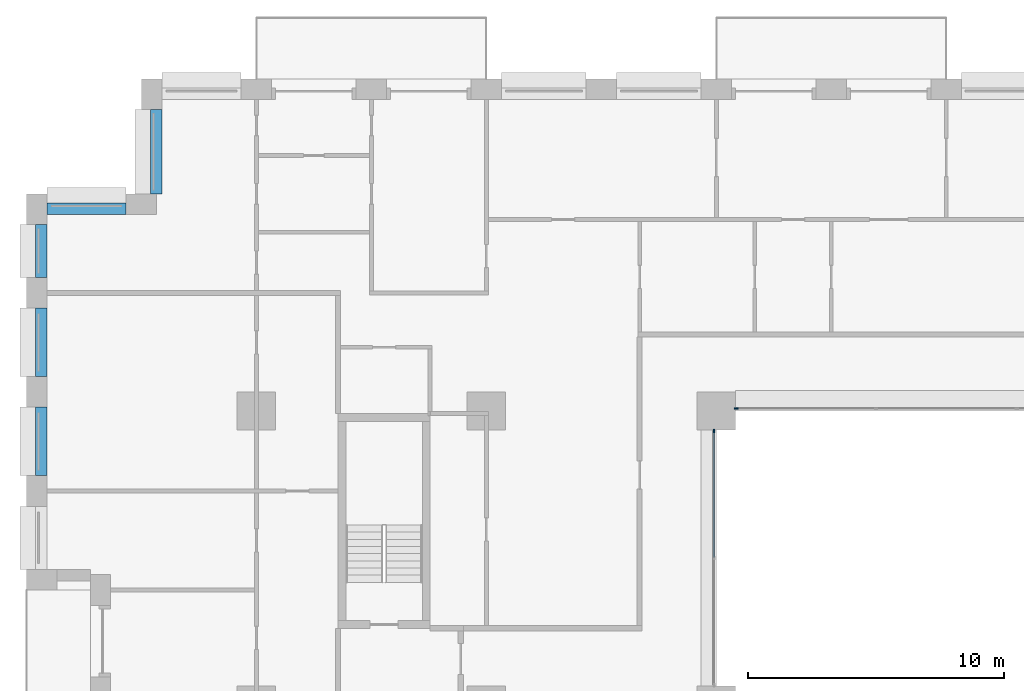
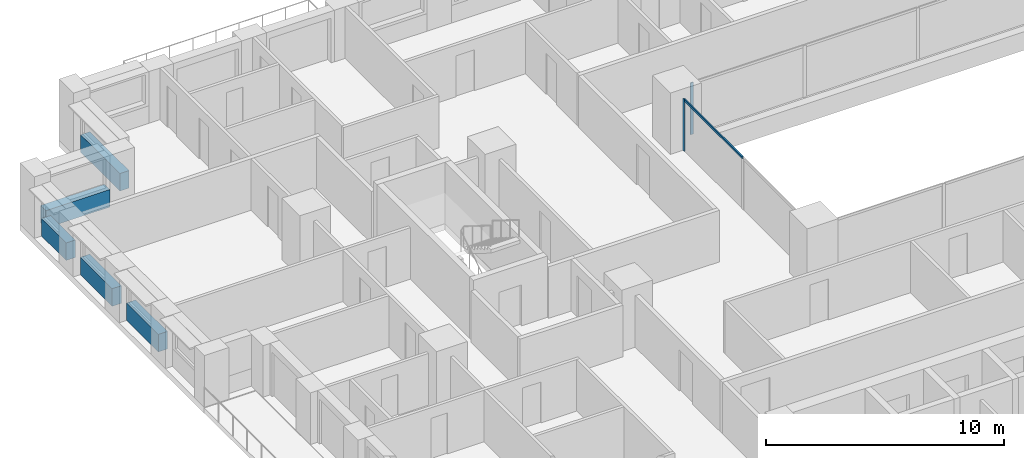
# One storey, part 5 of 20: 5 beams, 3 members, 2 elements without a shape of their own.
"""IFC4 building model written with IfcOpenShell, lengths in metres."""

from ifc_helpers import new_model, si_unit, direction, frame, origin, origin_2d, place, context, subcontext, project, spatial, rectangle, extrude, material, layer, layer_set, material_profile, profile_set, type_object, element, aggregate, save


model = new_model("IFC4")

# Units and contexts
model_context = context("Model", 3, precision=1e-05, world=origin(), true_north=direction((0.0, 1.0)))
body_context = subcontext(model_context, "Body", "Model", "MODEL_VIEW")
ifc_project = project(units=[si_unit("LENGTHUNIT", "METRE"), si_unit("AREAUNIT", "SQUARE_METRE"), si_unit("VOLUMEUNIT", "CUBIC_METRE"), si_unit("PLANEANGLEUNIT", "RADIAN"), si_unit("MASSUNIT", "GRAM", prefix="KILO")], contexts=[model_context])

# Site, building, storey
site_placement = place(None, origin())
site = spatial("IfcSite", under=ifc_project, at=site_placement, CompositionType="ELEMENT")
building_placement = place(site_placement, origin())
building = spatial("IfcBuilding", under=site, at=building_placement, Name="Brigalow Station Residences", CompositionType="ELEMENT")
storey_placement = place(building_placement, frame((0.0, 0.0, 69.89990234375)))
storey = spatial("IfcBuildingStorey", under=building, at=storey_placement, Name="L20", CompositionType="ELEMENT", Elevation=69.89990234375)

# Curtain wall, member
ifc_material_1 = material(Name="Aluminium", Category="aluminium")
ifc_layer = layer(ifc_material_1, 0.14990234375)
ifc_layer_set = layer_set([ifc_layer], Name="ATRIUM FIRE-RATED GLAZING CURTAIN WALL")
curtain_wall_type = type_object("IfcCurtainWallType", Name="ATRIUM FIRE-RATED GLAZING CURTAIN WALL", PredefinedType="NOTDEFINED", material=ifc_layer_set)
curtain_wall_1_placement = place(storey_placement, origin())
curtain_wall_1 = element("IfcCurtainWall", 1, at=curtain_wall_1_placement, inside=storey, type_object=curtain_wall_type, Name="L20/cw/atrium-N", PredefinedType="NOTDEFINED")
ifc_material_2 = material(Name="Aluminium", Category="aluminium")
ifc_material_profile_1 = material_profile(ifc_material_2, rectangle(XDim=0.06005859375, YDim=0.14990234375, at=origin_2d()), Name="ATRIUM FIRE-RATED GLAZING MULLION 60x150")
ifc_profile_set_1 = profile_set([ifc_material_profile_1], Name="Aluminium")
member_type_1 = type_object("IfcMemberType", Name="ATRIUM FIRE-RATED GLAZING MULLION 60x150", PredefinedType="MULLION", material=ifc_profile_set_1)
member_1_placement = place(storey_placement, frame((27.780029296875, 35.60009765625, 0.0), z_axis=(0.0, 0.0, 1.0), x_axis=(0.0, -1.0, 0.0)))
member_1 = element("IfcMember", 2, at=member_1_placement, type_object=member_type_1, Name="L20/cw/atrium-N/M03", PredefinedType="MULLION", context=body_context, shape_type="SweptSolid", body=[
    extrude(rectangle(XDim=0.06005859375, YDim=0.14990234375, at=origin_2d()), origin(), (0.0, 0.0, 1.0), 2.650146484375),
])
aggregate(curtain_wall_1, [member_1])

# Curtain wall, members
curtain_wall_2_placement = place(storey_placement, origin())
curtain_wall_2 = element("IfcCurtainWall", 3, at=curtain_wall_2_placement, inside=storey, type_object=curtain_wall_type, Name="L20/cw/atrium-W", PredefinedType="NOTDEFINED")
member_2_placement = place(storey_placement, frame((26.89990234375, 34.719970703125, 0.0), z_axis=(0.0, 0.0, 1.0), x_axis=(1.0, 0.0, 0.0)))
member_2 = element("IfcMember", 4, at=member_2_placement, type_object=member_type_1, Name="L20/cw/atrium-W/M00", PredefinedType="MULLION", context=body_context, shape_type="SweptSolid", body=[
    extrude(rectangle(XDim=0.06005859375, YDim=0.14990234375, at=origin_2d()), origin(), (0.0, 0.0, 1.0), 2.650146484375),
])
ifc_material_3 = material(Name="Aluminium", Category="aluminium")
ifc_material_profile_2 = material_profile(ifc_material_3, rectangle(XDim=0.06005859375, YDim=0.1201171875, at=origin_2d()), Name="ATRIUM FIRE-RATED GLAZING TRANSOM 60x120")
ifc_profile_set_2 = profile_set([ifc_material_profile_2], Name="Aluminium")
member_type_2 = type_object("IfcMemberType", Name="ATRIUM FIRE-RATED GLAZING TRANSOM 60x120", PredefinedType="USERDEFINED", material=ifc_profile_set_2)
member_3_placement = place(storey_placement, frame((26.89990234375, 34.68994140625, 2.6201171875), z_axis=(0.0, -1.0, 0.0), x_axis=(1.0, 0.0, 0.0)))
member_3 = element("IfcMember", 5, at=member_3_placement, type_object=member_type_2, Name="L20/cw/atrium-W/T00-00", ObjectType="TRANSOM", PredefinedType="USERDEFINED", context=body_context, shape_type="SweptSolid", body=[
    extrude(rectangle(XDim=0.06005859375, YDim=0.1201171875, at=origin_2d()), origin(), (0.0, 0.0, 1.0), 4.909912109375),
])
aggregate(curtain_wall_2, [member_2, member_3])

# Beams
ifc_material_4 = material(Name="Concrete C65", Category="concrete")
ifc_material_profile_3 = material_profile(ifc_material_4, rectangle(XDim=0.449951171875, YDim=0.89990234375, at=origin_2d()), Name="RC450x900")
ifc_profile_set_3 = profile_set([ifc_material_profile_3], Name="Concrete C65")
beam_type = type_object("IfcBeamType", Name="SPANDREL BEAM 450x900 C65", PredefinedType="SPANDREL", material=ifc_profile_set_3)
beam_1_placement = place(storey_placement, frame((5.074951171875, 47.300048828125, 0.4501953125), z_axis=(0.0, -1.0, 0.0), x_axis=(1.0, 0.0, 0.0)))
element("IfcBeam", 6, at=beam_1_placement, inside=storey, type_object=beam_type, Name="L20/spandrel/W-L20-40", PredefinedType="SPANDREL", context=body_context, shape_type="SweptSolid", body=[
    extrude(rectangle(XDim=0.449951171875, YDim=0.89990234375, at=origin_2d()), origin(), (0.0, 0.0, 1.0), 3.300048828125),
])
beam_2_placement = place(storey_placement, frame((3.89990234375, 43.425048828125, 0.4501953125), z_axis=(-1.0, 0.0, 0.0), x_axis=(0.0, -1.0, 0.0)))
element("IfcBeam", 7, at=beam_2_placement, inside=storey, type_object=beam_type, Name="L20/spandrel/W-L20-41", PredefinedType="SPANDREL", context=body_context, shape_type="SweptSolid", body=[
    extrude(rectangle(XDim=0.449951171875, YDim=0.89990234375, at=origin_2d()), origin(), (0.0, 0.0, 1.0), 3.099853515625),
])
beam_3_placement = place(storey_placement, frame((0.574951171875, 42.800048828125, 0.4501953125), z_axis=(0.0, -1.0, 0.0), x_axis=(1.0, 0.0, 0.0)))
element("IfcBeam", 8, at=beam_3_placement, inside=storey, type_object=beam_type, Name="L20/spandrel/W-L20-42", PredefinedType="SPANDREL", context=body_context, shape_type="SweptSolid", body=[
    extrude(rectangle(XDim=0.449951171875, YDim=0.89990234375, at=origin_2d()), origin(), (0.0, 0.0, 1.0), 2.074951171875),
])
for number, where, z_axis, x_axis, name in (
    (9, (0.574951171875, 39.52490234375, 0.4501953125), (0.0, -1.0, 0.0), (1.0, 0.0, 0.0), "L20/spandrel/W-L20-43"),
    (10, (0.574951171875, 35.64990234375, 0.4501953125), (0.0, -1.0, 0.0), (1.0, 0.0, 0.0), "L20/spandrel/W-L20-44"),
):
    element("IfcBeam", number, at=place(storey_placement, frame(where, z_axis=z_axis, x_axis=x_axis)), inside=storey, type_object=beam_type, Name=name, PredefinedType="SPANDREL", context=body_context, shape_type="SweptSolid", body=[
        extrude(rectangle(XDim=0.449951171875, YDim=0.89990234375, at=origin_2d()), origin(), (0.0, 0.0, 1.0), 2.6748046875),
    ])

save(model, "model.ifc")
